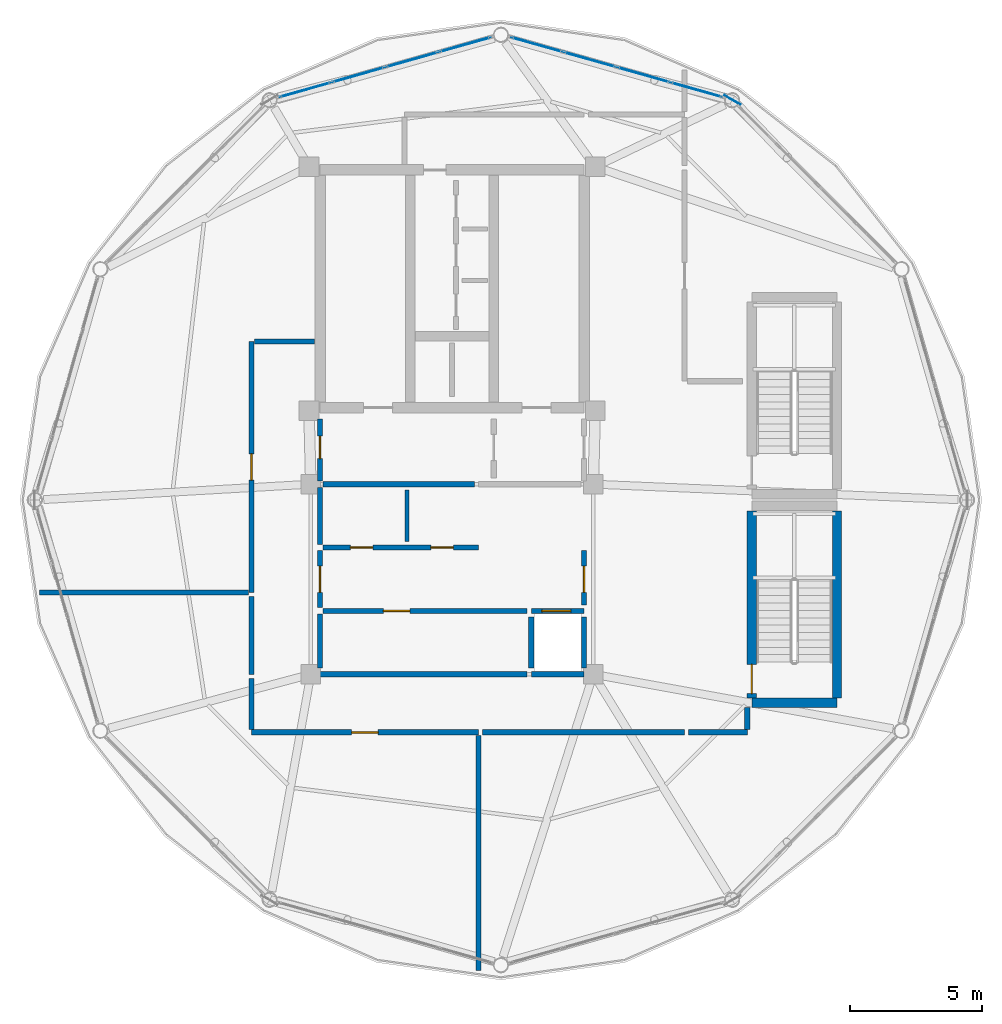
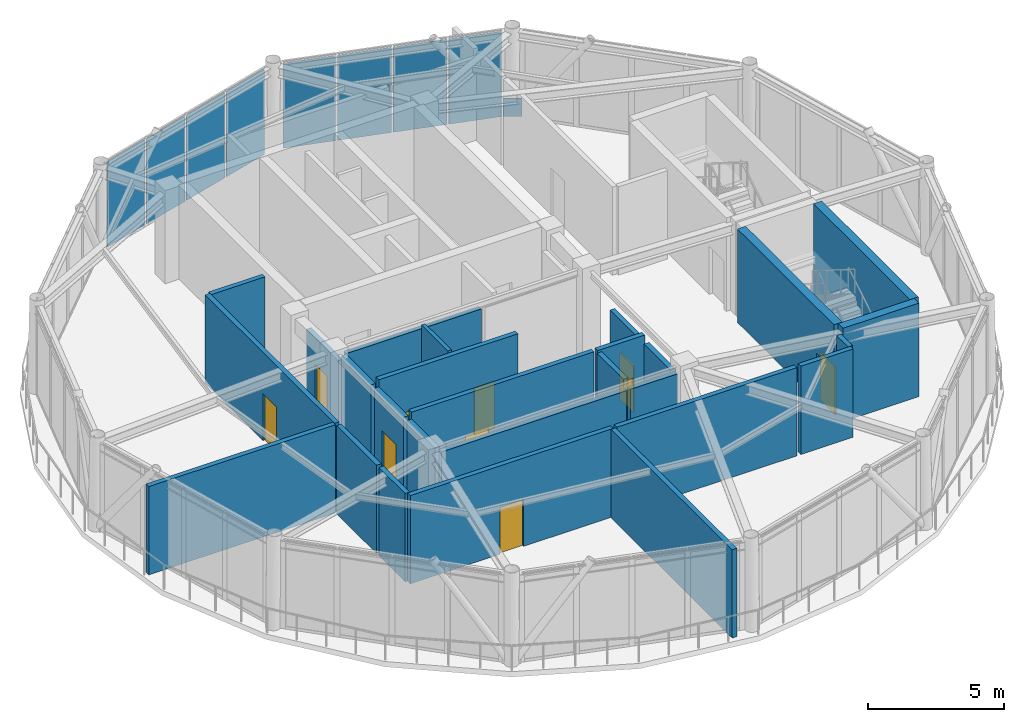
# One storey, part 17 of 21: 27 walls, 10 doors, 9 plates, 10 openings, 2 elements without a shape of their own.
"""IFC4 building model written with IfcOpenShell, lengths in metres."""

from ifc_helpers import new_model, si_unit, direction, frame, frame_2d, origin, origin_2d, place, context, subcontext, project, spatial, rectangle, extrude, source, transform, mapped, material, layer, layer_set, type_object, type_shapes, element, fill, aggregate, save


model = new_model("IFC4")

# Units and contexts
model_context = context("Model", 3, precision=1e-05, world=origin(), true_north=direction((0.0, 1.0)))
body_context = subcontext(model_context, "Body", "Model", "MODEL_VIEW")
ifc_project = project(units=[si_unit("LENGTHUNIT", "METRE"), si_unit("AREAUNIT", "SQUARE_METRE"), si_unit("VOLUMEUNIT", "CUBIC_METRE"), si_unit("PLANEANGLEUNIT", "RADIAN"), si_unit("MASSUNIT", "GRAM", prefix="KILO")], contexts=[model_context])

# Site, building, storey
site_placement = place(None, origin())
site = spatial("IfcSite", under=ifc_project, at=site_placement, CompositionType="ELEMENT")
building_placement = place(site_placement, origin())
building = spatial("IfcBuilding", under=site, at=building_placement, Name="Varnakorn Sky Granary", CompositionType="ELEMENT")
storey_placement = place(building_placement, frame((0.0, 0.0, 294.0)))
storey = spatial("IfcBuildingStorey", under=building, at=storey_placement, Name="L75", CompositionType="ELEMENT", Elevation=294.0)

# Plate
ifc_material_1 = material(Name="Steel S460M", Category="steel")
ifc_layer_1 = layer(ifc_material_1, 0.031982421875, Name="Steel S460M")
ifc_layer_set_1 = layer_set([ifc_layer_1], Name="Steel S460M")
plate_type_1 = type_object("IfcPlateType", Name="PL-NODE-KN8", PredefinedType="SHEET", material=ifc_layer_set_1)
plate_1_placement = place(storey_placement, frame((13.614501953125, 15.150146484375, 0.0), z_axis=(0.0, 0.0, 1.0), x_axis=(-0.865591441028, 0.500750893379, 0.0)))
element("IfcPlate", 1, at=plate_1_placement, inside=storey, type_object=plate_type_1, Name="Diagrid Node Gusset Assembly KN8 L75-3", PredefinedType="SHEET", context=body_context, shape_type="SweptSolid", body=[
    extrude(rectangle(XDim=0.699951171875, YDim=0.031982421875, at=origin_2d()), origin(), (0.0, 0.0, 1.0), 0.820068359375),
])

# Curtain wall, plates
ifc_material_2 = material(Name="Anodised Bronze Aluminium Alloy 6063-T6", Category="aluminium")
ifc_layer_2 = layer(ifc_material_2, 0.22998046875, Name="Anodised Bronze Aluminium Alloy 6063-T6")
ifc_layer_set_2 = layer_set([ifc_layer_2], Name="Anodised Bronze Aluminium Alloy 6063-T6")
curtain_wall_type = type_object("IfcCurtainWallType", Name="CW-LNT-1", PredefinedType="USERDEFINED", material=ifc_layer_set_2)
curtain_wall_1_placement = place(storey_placement, origin())
curtain_wall_1 = element("IfcCurtainWall", 2, at=curtain_wall_1_placement, inside=storey, type_object=curtain_wall_type, Name="Unitised Curtain Wall CW7 CW-L75-B03", ObjectType="CURTAIN WALL", PredefinedType="USERDEFINED")
ifc_material_3 = material(Name="Low-E Tinted Laminated Glass", Category="glass")
ifc_layer_3 = layer(ifc_material_3, 0.035888671875, Name="Low-E Tinted Laminated Glass")
ifc_layer_set_3 = layer_set([ifc_layer_3], Name="Low-E Tinted Laminated Glass")
plate_type_2 = type_object("IfcPlateType", Name="CW-LNT-1-PNL", PredefinedType="CURTAIN_PANEL")
shared_shape_1 = source(origin(), body_context, "Body", "SweptSolid", [
    extrude(rectangle(XDim=1.994873046875, YDim=0.035888671875, at=origin_2d()), origin(), (0.0, 0.0, 1.0), 3.81005859375),
])
plate_2_placement = place(storey_placement, frame((6.208740234375, 17.24462890625, 0.074951171875), z_axis=(0.0, 0.0, 1.0), x_axis=(0.962255591233, -0.272147344542, 0.0)))
plate_2 = element("IfcPlate", 3, at=plate_2_placement, type_object=plate_type_2, material=ifc_layer_set_3, Name="CW7 vision glazing unit 1.1", PredefinedType="CURTAIN_PANEL", context=body_context, shape_type="MappedRepresentation", body=[
    mapped(shared_shape_1, transform((0.0, 0.0, 0.0), x_axis=(1.0, 0.0, 0.0), y_axis=(0.0, 1.0, 0.0), z_axis=(0.0, 0.0, 1.0), scale=1.0)),
])
ifc_material_4 = material(Name="Opaque Insulated Aluminium Shadow-Box Unit", Category="aluminium")
ifc_layer_4 = layer(ifc_material_4, 0.035888671875, Name="Opaque Insulated Aluminium Shadow-Box Unit")
ifc_layer_set_4 = layer_set([ifc_layer_4], Name="Opaque Insulated Aluminium Shadow-Box Unit")
plate_3_placement = place(storey_placement, frame((12.255859375, 15.534423828125, 0.074951171875), z_axis=(0.0, 0.0, 1.0), x_axis=(0.962255591233, -0.272147344542, 0.0)))
plate_3 = element("IfcPlate", 4, at=plate_3_placement, type_object=plate_type_2, material=ifc_layer_set_4, Name="CW7 opaque insulated shadow-box unit 4.1", PredefinedType="CURTAIN_PANEL", context=body_context, shape_type="MappedRepresentation", body=[
    mapped(shared_shape_1, transform((0.0, 0.0, 0.0), x_axis=(1.0, 0.0, 0.0), y_axis=(0.0, 1.0, 0.0), z_axis=(0.0, 0.0, 1.0), scale=1.0)),
])

curtain_wall_2_placement = place(storey_placement, origin())
curtain_wall_2 = element("IfcCurtainWall", 5, at=curtain_wall_2_placement, inside=storey, type_object=curtain_wall_type, Name="Unitised Curtain Wall CW7 CW-L75-B04", ObjectType="CURTAIN WALL", PredefinedType="USERDEFINED")
plate_4_placement = place(storey_placement, frame((-2.555908203125, 15.534423828125, 0.074951171875), z_axis=(0.0, 0.0, 1.0), x_axis=(0.962255591233, 0.272147344542, 0.0)))
plate_4 = element("IfcPlate", 6, at=plate_4_placement, type_object=plate_type_2, material=ifc_layer_set_4, Name="CW7 opaque insulated shadow-box unit 1.1", PredefinedType="CURTAIN_PANEL", context=body_context, shape_type="MappedRepresentation", body=[
    mapped(shared_shape_1, transform((0.0, 0.0, 0.0), x_axis=(1.0, 0.0, 0.0), y_axis=(0.0, 1.0, 0.0), z_axis=(0.0, 0.0, 1.0), scale=1.0)),
])
plate_5_placement = place(storey_placement, frame((3.491455078125, 17.24462890625, 0.074951171875), z_axis=(0.0, 0.0, 1.0), x_axis=(0.962255591233, 0.272147344542, 0.0)))
plate_5 = element("IfcPlate", 7, at=plate_5_placement, type_object=plate_type_2, material=ifc_layer_set_3, Name="CW7 vision glazing unit 4.1", PredefinedType="CURTAIN_PANEL", context=body_context, shape_type="MappedRepresentation", body=[
    mapped(shared_shape_1, transform((0.0, 0.0, 0.0), x_axis=(1.0, 0.0, 0.0), y_axis=(0.0, 1.0, 0.0), z_axis=(0.0, 0.0, 1.0), scale=1.0)),
])

# Plate
shared_shape_2 = source(origin(), body_context, "Body", "SweptSolid", [
    extrude(rectangle(XDim=2.0322265625, YDim=0.035888671875, at=origin_2d()), origin(), (0.0, 0.0, 1.0), 3.81005859375),
])
type_shapes(plate_type_2, [shared_shape_1, shared_shape_2])
plate_6_placement = place(storey_placement, frame((8.21826171875, 16.67626953125, 0.074951171875), z_axis=(0.0, 0.0, 1.0), x_axis=(0.962255591233, -0.272147344542, 0.0)))
plate_6 = element("IfcPlate", 8, at=plate_6_placement, type_object=plate_type_2, material=ifc_layer_set_3, Name="CW7 vision glazing unit 2.1", PredefinedType="CURTAIN_PANEL", context=body_context, shape_type="MappedRepresentation", body=[
    mapped(shared_shape_2, transform((0.0, 0.0, 0.0), x_axis=(1.0, 0.0, 0.0), y_axis=(0.0, 1.0, 0.0), z_axis=(0.0, 0.0, 1.0), scale=1.0)),
])

plate_7_placement = place(storey_placement, frame((10.24609375, 16.102783203125, 0.074951171875), z_axis=(0.0, 0.0, 1.0), x_axis=(0.962255591233, -0.272147344542, 0.0)))
plate_7 = element("IfcPlate", 9, at=plate_7_placement, type_object=plate_type_2, material=ifc_layer_set_4, Name="CW7 opaque insulated shadow-box unit 3.1", PredefinedType="CURTAIN_PANEL", context=body_context, shape_type="MappedRepresentation", body=[
    mapped(shared_shape_2, transform((0.0, 0.0, 0.0), x_axis=(1.0, 0.0, 0.0), y_axis=(0.0, 1.0, 0.0), z_axis=(0.0, 0.0, 1.0), scale=1.0)),
])

aggregate(curtain_wall_1, [plate_2, plate_6, plate_7, plate_3])

plate_8_placement = place(storey_placement, frame((-0.546142578125, 16.102783203125, 0.074951171875), z_axis=(0.0, 0.0, 1.0), x_axis=(0.962255591233, 0.272147344542, 0.0)))
plate_8 = element("IfcPlate", 10, at=plate_8_placement, type_object=plate_type_2, material=ifc_layer_set_4, Name="CW7 opaque insulated shadow-box unit 2.1", PredefinedType="CURTAIN_PANEL", context=body_context, shape_type="MappedRepresentation", body=[
    mapped(shared_shape_2, transform((0.0, 0.0, 0.0), x_axis=(1.0, 0.0, 0.0), y_axis=(0.0, 1.0, 0.0), z_axis=(0.0, 0.0, 1.0), scale=1.0)),
])

plate_9_placement = place(storey_placement, frame((1.481689453125, 16.67626953125, 0.074951171875), z_axis=(0.0, 0.0, 1.0), x_axis=(0.962255591233, 0.272147344542, 0.0)))
plate_9 = element("IfcPlate", 11, at=plate_9_placement, type_object=plate_type_2, material=ifc_layer_set_3, Name="CW7 vision glazing unit 3.1", PredefinedType="CURTAIN_PANEL", context=body_context, shape_type="MappedRepresentation", body=[
    mapped(shared_shape_2, transform((0.0, 0.0, 0.0), x_axis=(1.0, 0.0, 0.0), y_axis=(0.0, 1.0, 0.0), z_axis=(0.0, 0.0, 1.0), scale=1.0)),
])

aggregate(curtain_wall_2, [plate_4, plate_8, plate_9, plate_5])

# Wall
ifc_material_5 = material(Name="Concrete C50/60", Category="concrete")
ifc_layer_5 = layer(ifc_material_5, 0.35009765625, Name="Concrete C50/60")
ifc_layer_set_5 = layer_set([ifc_layer_5], Name="Concrete C50/60")
wall_type_1 = type_object("IfcWallType", Name="WT-CW-INT-350", PredefinedType="SHEAR", material=ifc_layer_set_5)
wall_1_placement = place(storey_placement, frame((14.35009765625, -7.679931640625, 0.0), z_axis=(0.0, 0.0, 1.0), x_axis=(1.0, 0.0, 0.0)))
element("IfcWall", 12, at=wall_1_placement, inside=storey, type_object=wall_type_1, Name="Crown Stair STC2 South Wall L75", PredefinedType="SHEAR", context=body_context, shape_type="SweptSolid", body=[
    extrude(rectangle(XDim=3.22998046875, YDim=0.35009765625, at=frame_2d((1.614990234375, 0.0))), origin(), (0.0, 0.0, 1.0), 4.19189453125),
])

# Wall, opening, door
wall_2_placement = place(storey_placement, frame((14.35009765625, -7.489990234375, 0.0), z_axis=(0.0, 0.0, 1.0), x_axis=(0.0, 1.0, 0.0)))
wall_2 = element("IfcWall", 13, at=wall_2_placement, inside=storey, type_object=wall_type_1, Name="Crown Stair STC2 West Wall L75", PredefinedType="SHEAR", context=body_context, shape_type="SweptSolid", body=[
    extrude(rectangle(XDim=7.080078125, YDim=0.35009765625, at=frame_2d((3.5400390625, 0.0))), origin(), (0.0, 0.0, 1.0), 4.19189453125),
])
opening_1_placement = place(wall_2_placement, frame((0.159912109375, 0.0, 0.0)))
opening_1 = element("IfcOpeningElement", 14, at=opening_1_placement, cuts=wall_2, Name="Opening FD-90", PredefinedType="OPENING", context=body_context, shape_type="SweptSolid", body=[
    extrude(rectangle(XDim=1.10009765625, YDim=2.14990234375, at=frame_2d((0.550048828125, 1.074951171875))), frame((0.0, 0.18505859375, 0.0), z_axis=(0.0, -1.0, 0.0), x_axis=(1.0, 0.0, 0.0)), (0.0, 0.0, 1.0), 0.3701171875),
])
ifc_material_6 = material(Name="Galvanised Painted Steel Leaf", Category="steel")
door_type_1 = type_object("IfcDoorType", Name="DR-STAIR-1100", OperationType="NOTDEFINED", PredefinedType="DOOR", material=ifc_material_6)
door_1_placement = place(opening_1_placement, origin())
door_1 = element("IfcDoor", 15, at=door_1_placement, inside=storey, type_object=door_type_1, Name="Crown Stair STC2 Protected Fire Door L75", OperationType="SINGLE_SWING_RIGHT", OverallHeight=2.14990234375, OverallWidth=1.10009765625, PredefinedType="DOOR", context=body_context, shape_type="SweptSolid", body=[
    extrude(rectangle(XDim=1.10009765625, YDim=2.14990234375, at=frame_2d((0.550048828125, 1.074951171875))), frame((0.0, 0.02490234375, 0.0), z_axis=(0.0, -1.0, 0.0), x_axis=(1.0, 0.0, 0.0)), (0.0, 0.0, 1.0), 0.050048828125),
])
fill(opening_1, door_1)

# Wall
wall_3_placement = place(storey_placement, frame((17.580078125, -7.489990234375, 0.0), z_axis=(0.0, 0.0, 1.0), x_axis=(0.0, 1.0, 0.0)))
element("IfcWall", 16, at=wall_3_placement, inside=storey, type_object=wall_type_1, Name="Crown Stair STC2 East Wall L75", PredefinedType="SHEAR", context=body_context, shape_type="SweptSolid", body=[
    extrude(rectangle(XDim=7.080078125, YDim=0.35009765625, at=frame_2d((3.5400390625, 0.0))), origin(), (0.0, 0.0, 1.0), 4.19189453125),
])

# Wall, opening, door
ifc_material_7 = material(Name="Autoclaved Aerated Concrete Blockwork", Category="masonry")
ifc_layer_6 = layer(ifc_material_7, 0.199951171875, Name="Autoclaved Aerated Concrete Blockwork")
ifc_layer_set_6 = layer_set([ifc_layer_6], Name="Autoclaved Aerated Concrete Blockwork")
wall_type_2 = type_object("IfcWallType", Name="WT-FIRE-200", PredefinedType="MOVABLE", material=ifc_layer_set_6)
wall_4_placement = place(storey_placement, frame((-2.0, 0.719970703125, 0.0), z_axis=(0.0, 0.0, 1.0), x_axis=(0.0, 1.0, 0.0)))
wall_4 = element("IfcWall", 17, at=wall_4_placement, inside=storey, type_object=wall_type_2, Name="Interior Partition Wall L75-009", PredefinedType="MOVABLE", context=body_context, shape_type="SweptSolid", body=[
    extrude(rectangle(XDim=2.35009765625, YDim=0.199951171875, at=frame_2d((1.175048828125, 0.0))), origin(), (0.0, 0.0, 1.0), 3.2919921875),
])
opening_2_placement = place(wall_4_placement, frame((0.844970703125, 0.0, 0.0)))
opening_2 = element("IfcOpeningElement", 18, at=opening_2_placement, cuts=wall_4, Name="Opening FD-60N", PredefinedType="OPENING", context=body_context, shape_type="SweptSolid", body=[
    extrude(rectangle(XDim=0.85009765625, YDim=2.10009765625, at=frame_2d((0.425048828125, 1.050048828125))), frame((0.0, 0.10986328125, 0.0), z_axis=(0.0, -1.0, 0.0), x_axis=(1.0, 0.0, 0.0)), (0.0, 0.0, 1.0), 0.219970703125),
])
ifc_material_8 = material(Name="Acoustic Timber Fire Leaf", Category="wood")
door_type_2 = type_object("IfcDoorType", Name="DR-FD60-850", OperationType="NOTDEFINED", PredefinedType="DOOR", material=ifc_material_8)
door_2_placement = place(opening_2_placement, origin())
door_2 = element("IfcDoor", 19, at=door_2_placement, inside=storey, type_object=door_type_2, Name="Interior Door L75-009-1", OperationType="SINGLE_SWING_RIGHT", OverallHeight=2.10009765625, OverallWidth=0.85009765625, PredefinedType="DOOR", context=body_context, shape_type="SweptSolid", body=[
    extrude(rectangle(XDim=0.85009765625, YDim=2.10009765625, at=frame_2d((0.425048828125, 1.050048828125))), frame((0.0, 0.02490234375, 0.0), z_axis=(0.0, -1.0, 0.0), x_axis=(1.0, 0.0, 0.0)), (0.0, 0.0, 1.0), 0.050048828125),
])
fill(opening_2, door_2)

wall_5_placement = place(storey_placement, frame((-2.0, -4.080078125, 0.0), z_axis=(0.0, 0.0, 1.0), x_axis=(0.0, 1.0, 0.0)))
wall_5 = element("IfcWall", 20, at=wall_5_placement, inside=storey, type_object=wall_type_2, Name="Interior Partition Wall L75-011", PredefinedType="MOVABLE", context=body_context, shape_type="SweptSolid", body=[
    extrude(rectangle(XDim=2.16015625, YDim=0.199951171875, at=frame_2d((1.080078125, 0.0))), origin(), (0.0, 0.0, 1.0), 3.672119140625),
])
opening_3_placement = place(wall_5_placement, frame((0.580078125, 0.0, 0.0)))
opening_3 = element("IfcOpeningElement", 21, at=opening_3_placement, cuts=wall_5, Name="Opening FD-60", PredefinedType="OPENING", context=body_context, shape_type="SweptSolid", body=[
    extrude(rectangle(XDim=1.0, YDim=2.10009765625, at=frame_2d((0.5, 1.050048828125))), frame((0.0, 0.10986328125, 0.0), z_axis=(0.0, -1.0, 0.0), x_axis=(1.0, 0.0, 0.0)), (0.0, 0.0, 1.0), 0.219970703125),
])
door_type_3 = type_object("IfcDoorType", Name="DR-FD60-1000", OperationType="NOTDEFINED", PredefinedType="DOOR", material=ifc_material_8)
door_3_placement = place(opening_3_placement, origin())
door_3 = element("IfcDoor", 22, at=door_3_placement, inside=storey, type_object=door_type_3, Name="Interior Door L75-011-1", OperationType="SINGLE_SWING_RIGHT", OverallHeight=2.10009765625, OverallWidth=1.0, PredefinedType="DOOR", context=body_context, shape_type="SweptSolid", body=[
    extrude(rectangle(XDim=1.0, YDim=2.10009765625, at=frame_2d((0.5, 1.050048828125))), frame((0.0, 0.02490234375, 0.0), z_axis=(0.0, -1.0, 0.0), x_axis=(1.0, 0.0, 0.0)), (0.0, 0.0, 1.0), 0.050048828125),
])
fill(opening_3, door_3)

wall_6_placement = place(storey_placement, frame((8.0, -3.969970703125, 0.0), z_axis=(0.0, 0.0, 1.0), x_axis=(0.0, 1.0, 0.0)))
wall_6 = element("IfcWall", 23, at=wall_6_placement, inside=storey, type_object=wall_type_2, Name="Interior Partition Wall L75-012", PredefinedType="MOVABLE", context=body_context, shape_type="SweptSolid", body=[
    extrude(rectangle(XDim=2.050048828125, YDim=0.199951171875, at=frame_2d((1.02490234375, 0.0))), origin(), (0.0, 0.0, 1.0), 3.672119140625),
])
opening_4_placement = place(wall_6_placement, frame((0.469970703125, 0.0, 0.0)))
opening_4 = element("IfcOpeningElement", 24, at=opening_4_placement, cuts=wall_6, Name="Opening FD-60", PredefinedType="OPENING", context=body_context, shape_type="SweptSolid", body=[
    extrude(rectangle(XDim=1.0, YDim=2.10009765625, at=frame_2d((0.5, 1.050048828125))), frame((0.0, 0.10986328125, 0.0), z_axis=(0.0, -1.0, 0.0), x_axis=(1.0, 0.0, 0.0)), (0.0, 0.0, 1.0), 0.219970703125),
])
door_4_placement = place(opening_4_placement, origin())
door_4 = element("IfcDoor", 25, at=door_4_placement, inside=storey, type_object=door_type_3, Name="Interior Door L75-012-1", OperationType="SINGLE_SWING_LEFT", OverallHeight=2.10009765625, OverallWidth=1.0, PredefinedType="DOOR", context=body_context, shape_type="SweptSolid", body=[
    extrude(rectangle(XDim=1.0, YDim=2.10009765625, at=frame_2d((0.5, 1.050048828125))), frame((0.0, 0.02490234375, 0.0), z_axis=(0.0, -1.0, 0.0), x_axis=(1.0, 0.0, 0.0)), (0.0, 0.0, 1.0), 0.050048828125),
])
fill(opening_4, door_4)

# Wall, openings, doors
wall_7_placement = place(storey_placement, frame((-1.889892578125, -1.800048828125, 0.0), z_axis=(0.0, 0.0, 1.0), x_axis=(1.0, 0.0, 0.0)))
wall_7 = element("IfcWall", 26, at=wall_7_placement, inside=storey, type_object=wall_type_2, Name="Interior Partition Wall L75-013", PredefinedType="MOVABLE", context=body_context, shape_type="SweptSolid", body=[
    extrude(rectangle(XDim=5.889892578125, YDim=0.199951171875, at=frame_2d((2.94482421875, 0.0))), origin(), (0.0, 0.0, 1.0), 3.9599609375),
])
opening_5_placement = place(wall_7_placement, frame((1.0400390625, 0.0, 0.0)))
opening_5 = element("IfcOpeningElement", 27, at=opening_5_placement, cuts=wall_7, Name="Opening FD-60N", PredefinedType="OPENING", context=body_context, shape_type="SweptSolid", body=[
    extrude(rectangle(XDim=0.85009765625, YDim=2.10009765625, at=frame_2d((0.425048828125, 1.050048828125))), frame((0.0, 0.10986328125, 0.0), z_axis=(0.0, -1.0, 0.0), x_axis=(1.0, 0.0, 0.0)), (0.0, 0.0, 1.0), 0.219970703125),
])
opening_6_placement = place(wall_7_placement, frame((4.090087890625, 0.0, 0.0)))
opening_6 = element("IfcOpeningElement", 28, at=opening_6_placement, cuts=wall_7, Name="Opening FD-60N", PredefinedType="OPENING", context=body_context, shape_type="SweptSolid", body=[
    extrude(rectangle(XDim=0.85009765625, YDim=2.10009765625, at=frame_2d((0.425048828125, 1.050048828125))), frame((0.0, 0.10986328125, 0.0), z_axis=(0.0, -1.0, 0.0), x_axis=(1.0, 0.0, 0.0)), (0.0, 0.0, 1.0), 0.219970703125),
])
door_5_placement = place(opening_5_placement, origin())
door_5 = element("IfcDoor", 29, at=door_5_placement, inside=storey, type_object=door_type_2, Name="Interior Door L75-013-1", OperationType="SINGLE_SWING_RIGHT", OverallHeight=2.10009765625, OverallWidth=0.85009765625, PredefinedType="DOOR", context=body_context, shape_type="SweptSolid", body=[
    extrude(rectangle(XDim=0.85009765625, YDim=2.10009765625, at=frame_2d((0.425048828125, 1.050048828125))), frame((0.0, 0.02490234375, 0.0), z_axis=(0.0, -1.0, 0.0), x_axis=(1.0, 0.0, 0.0)), (0.0, 0.0, 1.0), 0.050048828125),
])
fill(opening_5, door_5)
door_6_placement = place(opening_6_placement, origin())
door_6 = element("IfcDoor", 30, at=door_6_placement, inside=storey, type_object=door_type_2, Name="Interior Door L75-013-2", OperationType="SINGLE_SWING_LEFT", OverallHeight=2.10009765625, OverallWidth=0.85009765625, PredefinedType="DOOR", context=body_context, shape_type="SweptSolid", body=[
    extrude(rectangle(XDim=0.85009765625, YDim=2.10009765625, at=frame_2d((0.425048828125, 1.050048828125))), frame((0.0, 0.02490234375, 0.0), z_axis=(0.0, -1.0, 0.0), x_axis=(1.0, 0.0, 0.0)), (0.0, 0.0, 1.0), 0.050048828125),
])
fill(opening_6, door_6)

# Wall, opening, door
wall_8_placement = place(storey_placement, frame((-1.889892578125, -4.199951171875, 0.0), z_axis=(0.0, 0.0, 1.0), x_axis=(1.0, 0.0, 0.0)))
wall_8 = element("IfcWall", 31, at=wall_8_placement, inside=storey, type_object=wall_type_2, Name="Interior Partition Wall L75-014", PredefinedType="MOVABLE", context=body_context, shape_type="SweptSolid", body=[
    extrude(rectangle(XDim=7.72998046875, YDim=0.199951171875, at=frame_2d((3.864990234375, 0.0))), origin(), (0.0, 0.0, 1.0), 3.9599609375),
])
opening_7_placement = place(wall_8_placement, frame((2.2900390625, 0.0, 0.0)))
opening_7 = element("IfcOpeningElement", 32, at=opening_7_placement, cuts=wall_8, Name="Opening FD-60", PredefinedType="OPENING", context=body_context, shape_type="SweptSolid", body=[
    extrude(rectangle(XDim=1.0, YDim=2.10009765625, at=frame_2d((0.5, 1.050048828125))), frame((0.0, 0.10986328125, 0.0), z_axis=(0.0, -1.0, 0.0), x_axis=(1.0, 0.0, 0.0)), (0.0, 0.0, 1.0), 0.219970703125),
])
door_7_placement = place(opening_7_placement, origin())
door_7 = element("IfcDoor", 33, at=door_7_placement, inside=storey, type_object=door_type_3, Name="Interior Door L75-014-1", OperationType="SINGLE_SWING_RIGHT", OverallHeight=2.10009765625, OverallWidth=1.0, PredefinedType="DOOR", context=body_context, shape_type="SweptSolid", body=[
    extrude(rectangle(XDim=1.0, YDim=2.10009765625, at=frame_2d((0.5, 1.050048828125))), frame((0.0, 0.02490234375, 0.0), z_axis=(0.0, -1.0, 0.0), x_axis=(1.0, 0.0, 0.0)), (0.0, 0.0, 1.0), 0.050048828125),
])
fill(opening_7, door_7)

wall_9_placement = place(storey_placement, frame((-4.60009765625, 6.0, 0.0), z_axis=(0.0, 0.0, 1.0), x_axis=(0.0, -1.0, 0.0)))
wall_9 = element("IfcWall", 34, at=wall_9_placement, inside=storey, type_object=wall_type_2, Name="Interior Partition Wall L75-015", PredefinedType="MOVABLE", context=body_context, shape_type="SweptSolid", body=[
    extrude(rectangle(XDim=9.5, YDim=0.199951171875, at=frame_2d((4.75, 0.0))), origin(), (0.0, 0.0, 1.0), 3.9599609375),
])
opening_8_placement = place(wall_9_placement, frame((4.25, 0.0, 0.0)))
opening_8 = element("IfcOpeningElement", 35, at=opening_8_placement, cuts=wall_9, Name="Opening FD-60", PredefinedType="OPENING", context=body_context, shape_type="SweptSolid", body=[
    extrude(rectangle(XDim=1.0, YDim=2.10009765625, at=frame_2d((0.5, 1.050048828125))), frame((0.0, 0.10986328125, 0.0), z_axis=(0.0, -1.0, 0.0), x_axis=(1.0, 0.0, 0.0)), (0.0, 0.0, 1.0), 0.219970703125),
])
door_8_placement = place(opening_8_placement, origin())
door_8 = element("IfcDoor", 36, at=door_8_placement, inside=storey, type_object=door_type_3, Name="Interior Door L75-015-1", OperationType="SINGLE_SWING_LEFT", OverallHeight=2.10009765625, OverallWidth=1.0, PredefinedType="DOOR", context=body_context, shape_type="SweptSolid", body=[
    extrude(rectangle(XDim=1.0, YDim=2.10009765625, at=frame_2d((0.5, 1.050048828125))), frame((0.0, 0.02490234375, 0.0), z_axis=(0.0, -1.0, 0.0), x_axis=(1.0, 0.0, 0.0)), (0.0, 0.0, 1.0), 0.050048828125),
])
fill(opening_8, door_8)

wall_10_placement = place(storey_placement, frame((-4.60009765625, -8.800048828125, 0.0), z_axis=(0.0, 0.0, 1.0), x_axis=(1.0, 0.0, 0.0)))
wall_10 = element("IfcWall", 37, at=wall_10_placement, inside=storey, type_object=wall_type_2, Name="Interior Partition Wall L75-016", PredefinedType="MOVABLE", context=body_context, shape_type="SweptSolid", body=[
    extrude(rectangle(XDim=8.60009765625, YDim=0.199951171875, at=frame_2d((4.300048828125, 0.0))), origin(), (0.0, 0.0, 1.0), 3.9599609375),
])
opening_9_placement = place(wall_10_placement, frame((3.800048828125, 0.0, 0.0)))
opening_9 = element("IfcOpeningElement", 38, at=opening_9_placement, cuts=wall_10, Name="Opening FD-60", PredefinedType="OPENING", context=body_context, shape_type="SweptSolid", body=[
    extrude(rectangle(XDim=1.0, YDim=2.10009765625, at=frame_2d((0.5, 1.050048828125))), frame((0.0, 0.10986328125, 0.0), z_axis=(0.0, -1.0, 0.0), x_axis=(1.0, 0.0, 0.0)), (0.0, 0.0, 1.0), 0.219970703125),
])
door_9_placement = place(opening_9_placement, origin())
door_9 = element("IfcDoor", 39, at=door_9_placement, inside=storey, type_object=door_type_3, Name="Interior Door L75-016-1", OperationType="SINGLE_SWING_RIGHT", OverallHeight=2.10009765625, OverallWidth=1.0, PredefinedType="DOOR", context=body_context, shape_type="SweptSolid", body=[
    extrude(rectangle(XDim=1.0, YDim=2.10009765625, at=frame_2d((0.5, 1.050048828125))), frame((0.0, 0.02490234375, 0.0), z_axis=(0.0, -1.0, 0.0), x_axis=(1.0, 0.0, 0.0)), (0.0, 0.0, 1.0), 0.050048828125),
])
fill(opening_9, door_9)

# Walls
wall_11_placement = place(storey_placement, frame((-1.8798828125, 0.60009765625, 0.0), z_axis=(0.0, 0.0, 1.0), x_axis=(1.0, 0.0, 0.0)))
element("IfcWall", 40, at=wall_11_placement, inside=storey, type_object=wall_type_2, Name="Interior Partition Wall L75-020", PredefinedType="MOVABLE", context=body_context, shape_type="SweptSolid", body=[
    extrude(rectangle(XDim=5.719970703125, YDim=0.199951171875, at=frame_2d((2.85986328125, 0.0))), origin(), (0.0, 0.0, 1.0), 3.672119140625),
])
wall_12_placement = place(storey_placement, frame((-2.0, -1.679931640625, 0.0), z_axis=(0.0, 0.0, 1.0), x_axis=(0.0, 1.0, 0.0)))
element("IfcWall", 41, at=wall_12_placement, inside=storey, type_object=wall_type_2, Name="Interior Partition Wall L75-022", PredefinedType="MOVABLE", context=body_context, shape_type="SweptSolid", body=[
    extrude(rectangle(XDim=2.159912109375, YDim=0.199951171875, at=frame_2d((1.080078125, 0.0))), origin(), (0.0, 0.0, 1.0), 3.672119140625),
])
wall_13_placement = place(storey_placement, frame((-2.0, -6.60009765625, 0.0), z_axis=(0.0, 0.0, 1.0), x_axis=(1.0, 0.0, 0.0)))
element("IfcWall", 42, at=wall_13_placement, inside=storey, type_object=wall_type_2, Name="Interior Partition Wall L75-023", PredefinedType="MOVABLE", context=body_context, shape_type="SweptSolid", body=[
    extrude(rectangle(XDim=7.840087890625, YDim=0.199951171875, at=frame_2d((3.919921875, 0.0))), origin(), (0.0, 0.0, 1.0), 3.672119140625),
])
wall_14_placement = place(storey_placement, frame((-2.0, -6.3701171875, 0.0), z_axis=(0.0, 0.0, 1.0), x_axis=(0.0, 1.0, 0.0)))
element("IfcWall", 43, at=wall_14_placement, inside=storey, type_object=wall_type_2, Name="Interior Partition Wall L75-024", PredefinedType="MOVABLE", context=body_context, shape_type="SweptSolid", body=[
    extrude(rectangle(XDim=2.050048828125, YDim=0.199951171875, at=frame_2d((1.02490234375, 0.0))), origin(), (0.0, 0.0, 1.0), 3.672119140625),
])
wall_15_placement = place(storey_placement, frame((-2.2099609375, 6.0, 0.0), z_axis=(0.0, 0.0, 1.0), x_axis=(-1.0, 0.0, 0.0)))
element("IfcWall", 44, at=wall_15_placement, inside=storey, type_object=wall_type_2, Name="Interior Partition Wall L75-027", PredefinedType="MOVABLE", context=body_context, shape_type="SweptSolid", body=[
    extrude(rectangle(XDim=2.280029296875, YDim=0.199951171875, at=frame_2d((1.14013671875, 0.0))), origin(), (0.0, 0.0, 1.0), 3.9599609375),
])
wall_16_placement = place(storey_placement, frame((-4.60009765625, -3.659912109375, 0.0), z_axis=(0.0, 0.0, 1.0), x_axis=(0.0, -1.0, 0.0)))
element("IfcWall", 45, at=wall_16_placement, inside=storey, type_object=wall_type_2, Name="Interior Partition Wall L75-029", PredefinedType="MOVABLE", context=body_context, shape_type="SweptSolid", body=[
    extrude(rectangle(XDim=2.940185546875, YDim=0.199951171875, at=frame_2d((1.47021484375, 0.0))), origin(), (0.0, 0.0, 1.0), 3.9599609375),
])
wall_17_placement = place(storey_placement, frame((-4.60009765625, -6.760009765625, 0.0), z_axis=(0.0, 0.0, 1.0), x_axis=(0.0, -1.0, 0.0)))
element("IfcWall", 46, at=wall_17_placement, inside=storey, type_object=wall_type_2, Name="Interior Partition Wall L75-030", PredefinedType="MOVABLE", context=body_context, shape_type="SweptSolid", body=[
    extrude(rectangle(XDim=1.929931640625, YDim=0.199951171875, at=frame_2d((0.96484375, 0.0))), origin(), (0.0, 0.0, 1.0), 3.9599609375),
])
wall_18_placement = place(storey_placement, frame((4.159912109375, -8.800048828125, 0.0), z_axis=(0.0, 0.0, 1.0), x_axis=(1.0, 0.0, 0.0)))
element("IfcWall", 47, at=wall_18_placement, inside=storey, type_object=wall_type_2, Name="Interior Partition Wall L75-031", PredefinedType="MOVABLE", context=body_context, shape_type="SweptSolid", body=[
    extrude(rectangle(XDim=7.64013671875, YDim=0.199951171875, at=frame_2d((3.820068359375, 0.0))), origin(), (0.0, 0.0, 1.0), 3.9599609375),
])
wall_19_placement = place(storey_placement, frame((11.9599609375, -8.800048828125, 0.0), z_axis=(0.0, 0.0, 1.0), x_axis=(1.0, 0.0, 0.0)))
element("IfcWall", 48, at=wall_19_placement, inside=storey, type_object=wall_type_2, Name="Interior Partition Wall L75-032", PredefinedType="MOVABLE", context=body_context, shape_type="SweptSolid", body=[
    extrude(rectangle(XDim=2.219970703125, YDim=0.199951171875, at=frame_2d((1.10986328125, 0.0))), origin(), (0.0, 0.0, 1.0), 3.9599609375),
])
wall_20_placement = place(storey_placement, frame((14.179931640625, -8.68994140625, 0.0), z_axis=(0.0, 0.0, 1.0), x_axis=(0.0, 1.0, 0.0)))
element("IfcWall", 49, at=wall_20_placement, inside=storey, type_object=wall_type_2, Name="Interior Partition Wall L75-035", PredefinedType="MOVABLE", context=body_context, shape_type="SweptSolid", body=[
    extrude(rectangle(XDim=0.83984375, YDim=0.199951171875, at=frame_2d((0.419921875, 0.0))), origin(), (0.0, 0.0, 1.0), 3.9599609375),
])
wall_21_placement = place(storey_placement, frame((-4.7099609375, -3.5, 0.0), z_axis=(0.0, 0.0, 1.0), x_axis=(-1.0, 0.0, 0.0)))
element("IfcWall", 50, at=wall_21_placement, inside=storey, type_object=wall_type_2, Name="Interior Partition Wall L75-036", PredefinedType="MOVABLE", context=body_context, shape_type="SweptSolid", body=[
    extrude(rectangle(XDim=7.91796875, YDim=0.199951171875, at=frame_2d((3.958984375, 0.0))), origin(), (0.0, 0.0, 1.0), 3.9599609375),
])
wall_22_placement = place(storey_placement, frame((4.0, -8.909912109375, 0.0), z_axis=(0.0, 0.0, 1.0), x_axis=(0.0, -1.0, 0.0)))
element("IfcWall", 51, at=wall_22_placement, inside=storey, type_object=wall_type_2, Name="Interior Partition Wall L75-038", PredefinedType="MOVABLE", context=body_context, shape_type="SweptSolid", body=[
    extrude(rectangle(XDim=8.9091796875, YDim=0.199951171875, at=frame_2d((4.45458984375, 0.0))), origin(), (0.0, 0.0, 1.0), 3.9599609375),
])
ifc_material_9 = material(Name="Gypsum Plasterboard on Steel Stud", Category="steel")
ifc_layer_7 = layer(ifc_material_9, 0.14990234375, Name="Gypsum Plasterboard on Steel Stud")
ifc_layer_set_7 = layer_set([ifc_layer_7], Name="Gypsum Plasterboard on Steel Stud")
wall_type_3 = type_object("IfcWallType", Name="WT-PART-150", PredefinedType="PARTITIONING", material=ifc_layer_set_7)
wall_23_placement = place(storey_placement, frame((1.300048828125, -1.570068359375, 0.0), z_axis=(0.0, 0.0, 1.0), x_axis=(0.0, 1.0, 0.0)))
element("IfcWall", 52, at=wall_23_placement, inside=storey, type_object=wall_type_3, Name="Interior Partition Wall L75-021", PredefinedType="PARTITIONING", context=body_context, shape_type="SweptSolid", body=[
    extrude(rectangle(XDim=1.940185546875, YDim=0.14990234375, at=frame_2d((0.97021484375, 0.0))), origin(), (0.0, 0.0, 1.0), 3.9599609375),
])

# Wall, opening, door
ifc_layer_8 = layer(ifc_material_7, 0.199951171875, Name="Autoclaved Aerated Concrete Blockwork")
ifc_layer_set_8 = layer_set([ifc_layer_8], Name="Autoclaved Aerated Concrete Blockwork")
wall_type_4 = type_object("IfcWallType", Name="WT-SHAFT-200", PredefinedType="SOLIDWALL", material=ifc_layer_set_8)
wall_24_placement = place(storey_placement, frame((6.0, -4.199951171875, 0.0), z_axis=(0.0, 0.0, 1.0), x_axis=(1.0, 0.0, 0.0)))
wall_24 = element("IfcWall", 53, at=wall_24_placement, inside=storey, type_object=wall_type_4, Name="Interior Partition Wall L75-003", PredefinedType="SOLIDWALL", context=body_context, shape_type="SweptSolid", body=[
    extrude(rectangle(XDim=2.0, YDim=0.199951171875, at=frame_2d((1.0, 0.0))), origin(), (0.0, 0.0, 1.0), 3.9599609375),
])
opening_10_placement = place(wall_24_placement, frame((0.39990234375, 0.0, 0.0)))
opening_10 = element("IfcOpeningElement", 54, at=opening_10_placement, cuts=wall_24, Name="Opening LD-01", PredefinedType="OPENING", context=body_context, shape_type="SweptSolid", body=[
    extrude(rectangle(XDim=1.10009765625, YDim=2.199951171875, at=frame_2d((0.550048828125, 1.10009765625))), frame((0.0, 0.10986328125, 0.0), z_axis=(0.0, -1.0, 0.0), x_axis=(1.0, 0.0, 0.0)), (0.0, 0.0, 1.0), 0.219970703125),
])
ifc_material_10 = material(Name="Brushed Bronze Stainless Steel", Category="steel")
door_type_4 = type_object("IfcDoorType", Name="DR-LD-1100", OperationType="DOUBLE_DOOR_SLIDING", PredefinedType="DOOR", material=ifc_material_10)
door_10_placement = place(opening_10_placement, origin())
door_10 = element("IfcDoor", 55, at=door_10_placement, inside=storey, type_object=door_type_4, Name="Passenger Lift PL-H2 Sliding Landing Door L75", OperationType="DOUBLE_DOOR_SLIDING", OverallHeight=2.199951171875, OverallWidth=1.10009765625, PredefinedType="DOOR", context=body_context, shape_type="SweptSolid", body=[
    extrude(rectangle(XDim=1.10009765625, YDim=2.199951171875, at=frame_2d((0.550048828125, 1.10009765625))), frame((0.0, 0.02490234375, 0.0), z_axis=(0.0, -1.0, 0.0), x_axis=(1.0, 0.0, 0.0)), (0.0, 0.0, 1.0), 0.050048828125),
])
fill(opening_10, door_10)

# Walls
wall_25_placement = place(storey_placement, frame((6.0, -6.60009765625, 0.0), z_axis=(0.0, 0.0, 1.0), x_axis=(1.0, 0.0, 0.0)))
element("IfcWall", 56, at=wall_25_placement, inside=storey, type_object=wall_type_4, Name="Interior Partition Wall L75-004", PredefinedType="SOLIDWALL", context=body_context, shape_type="SweptSolid", body=[
    extrude(rectangle(XDim=2.0, YDim=0.199951171875, at=frame_2d((1.0, 0.0))), origin(), (0.0, 0.0, 1.0), 3.672119140625),
])
wall_26_placement = place(storey_placement, frame((6.0, -6.3701171875, 0.0), z_axis=(0.0, 0.0, 1.0), x_axis=(0.0, 1.0, 0.0)))
element("IfcWall", 57, at=wall_26_placement, inside=storey, type_object=wall_type_4, Name="Interior Partition Wall L75-005", PredefinedType="SOLIDWALL", context=body_context, shape_type="SweptSolid", body=[
    extrude(rectangle(XDim=1.940185546875, YDim=0.199951171875, at=frame_2d((0.97021484375, 0.0))), origin(), (0.0, 0.0, 1.0), 3.9599609375),
])
wall_27_placement = place(storey_placement, frame((8.0, -6.3701171875, 0.0), z_axis=(0.0, 0.0, 1.0), x_axis=(0.0, 1.0, 0.0)))
element("IfcWall", 58, at=wall_27_placement, inside=storey, type_object=wall_type_4, Name="Interior Partition Wall L75-006", PredefinedType="SOLIDWALL", context=body_context, shape_type="SweptSolid", body=[
    extrude(rectangle(XDim=1.940185546875, YDim=0.199951171875, at=frame_2d((0.97021484375, 0.0))), origin(), (0.0, 0.0, 1.0), 3.672119140625),
])

save(model, "model.ifc")
